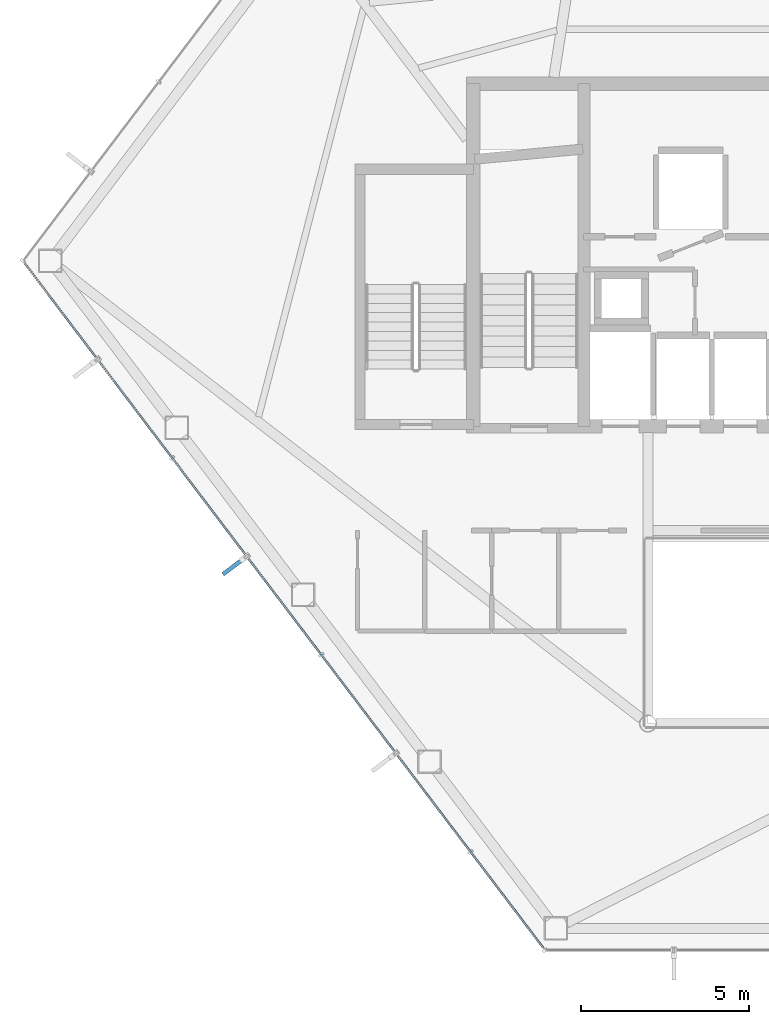
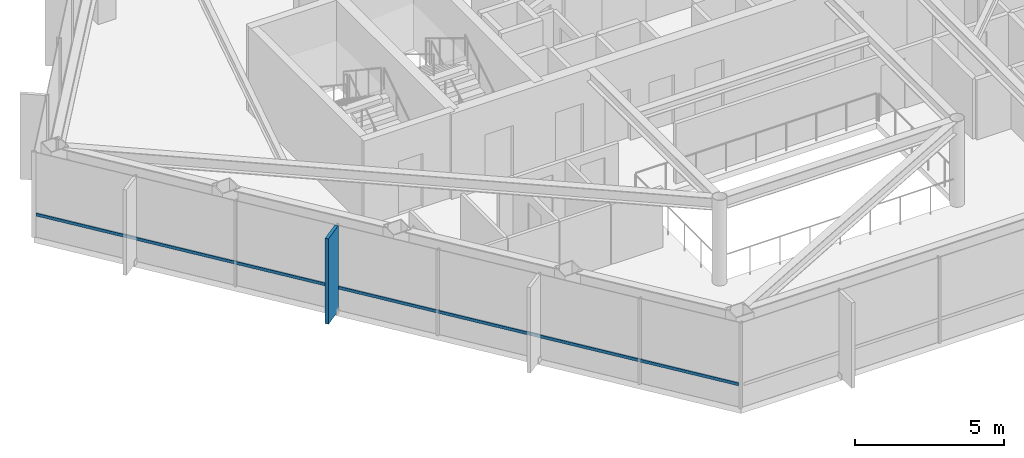
# One storey, part 3 of 28: 2 members, 1 element without a shape of its own.
"""IFC4 building model written with IfcOpenShell, lengths in metres."""

from ifc_helpers import new_model, si_unit, direction, frame, origin, origin_2d, place, context, subcontext, project, spatial, rectangle, hollow_rectangle, extrude, material, layer, layer_set, material_profile, profile_set, type_object, element, aggregate, save


model = new_model("IFC4")

# Units and contexts
model_context = context("Model", 3, precision=1e-05, world=origin(), true_north=direction((0.0, 1.0)))
body_context = subcontext(model_context, "Body", "Model", "MODEL_VIEW")
ifc_project = project(units=[si_unit("LENGTHUNIT", "METRE"), si_unit("AREAUNIT", "SQUARE_METRE"), si_unit("VOLUMEUNIT", "CUBIC_METRE"), si_unit("PLANEANGLEUNIT", "RADIAN"), si_unit("MASSUNIT", "GRAM", prefix="KILO")], contexts=[model_context])

# Site, building, storey
site_placement = place(None, origin())
site = spatial("IfcSite", under=ifc_project, at=site_placement, CompositionType="ELEMENT")
building_placement = place(site_placement, origin())
building = spatial("IfcBuilding", under=site, at=building_placement, Name="Zarrinselat Tower", CompositionType="ELEMENT")
storey_placement = place(building_placement, frame((0.0, 0.0, 168.300048828125)))
storey = spatial("IfcBuildingStorey", under=building, at=storey_placement, Name="L41", CompositionType="ELEMENT", Elevation=168.300048828125)

# Curtain wall, members
ifc_material_1 = material(Name="Extruded Aluminium Alloy EN AW-6063 T6", Category="aluminium")
ifc_layer = layer(ifc_material_1, 0.175048828125)
ifc_layer_set = layer_set([ifc_layer], Name="Extruded Aluminium Alloy EN AW-6063 T6")
curtain_wall_type = type_object("IfcCurtainWallType", Name="CWS-HTL", PredefinedType="NOTDEFINED", material=ifc_layer_set)
curtain_wall_placement = place(storey_placement, origin())
curtain_wall = element("IfcCurtainWall", 1, at=curtain_wall_placement, inside=storey, type_object=curtain_wall_type, Name="L41 Unitised Curtain Wall CW-L41-E03", PredefinedType="NOTDEFINED")
ifc_material_2 = material(Name="Extruded Aluminium Alloy EN AW-6063 T6", Category="aluminium")
ifc_material_profile_1 = material_profile(ifc_material_2, hollow_rectangle(XDim=0.06005859375, YDim=0.1201171875, WallThickness=0.00390625, at=origin_2d()), Name="RHS 120x60x4")
ifc_profile_set_1 = profile_set([ifc_material_profile_1], Name="Extruded Aluminium Alloy EN AW-6063 T6")
member_type_1 = type_object("IfcMemberType", Name="MEM-CW-TRN2", PredefinedType="USERDEFINED", material=ifc_profile_set_1)
member_1_placement = place(storey_placement, frame((15.248046875, 38.099365234375, 0.949951171875), z_axis=(0.603863940367, -0.797087411471, 0.0), x_axis=(0.797087411471, 0.603863940367, 0.0)))
member_1 = element("IfcMember", 2, at=member_1_placement, type_object=member_type_1, Name="CW-L41-E03 Transom 1", ObjectType="TRANSOM", PredefinedType="USERDEFINED", context=body_context, shape_type="SweptSolid", body=[
    extrude(hollow_rectangle(XDim=0.06005859375, YDim=0.1201171875, WallThickness=0.00390625, at=origin_2d()), origin(), (0.0, 0.0, 1.0), 25.560791015625),
])
ifc_material_3 = material(Name="Honed Cream Travertine Stone", Category="masonry")
ifc_material_profile_2 = material_profile(ifc_material_3, rectangle(XDim=0.1201171875, YDim=0.85009765625, at=origin_2d()), Name="FIN 850x120")
ifc_profile_set_2 = profile_set([ifc_material_profile_2], Name="Honed Cream Travertine Stone")
member_type_2 = type_object("IfcMemberType", Name="MEM-STONE-FIN", PredefinedType="USERDEFINED", material=ifc_profile_set_2)
member_2_placement = place(storey_placement, frame((21.48876953125, 29.10009765625, 0.0), z_axis=(0.0, 0.0, 1.0), x_axis=(-0.603857987184, 0.797091921496, 0.0)))
member_2 = element("IfcMember", 3, at=member_2_placement, type_object=member_type_2, Name="L41 Stone Shading Fin CW-L41-E03-03", ObjectType="FIN", PredefinedType="USERDEFINED", context=body_context, shape_type="SweptSolid", body=[
    extrude(rectangle(XDim=0.1201171875, YDim=0.85009765625, at=origin_2d()), origin(), (0.0, 0.0, 1.0), 3.5),
])
aggregate(curtain_wall, [member_2, member_1])

save(model, "model.ifc")
